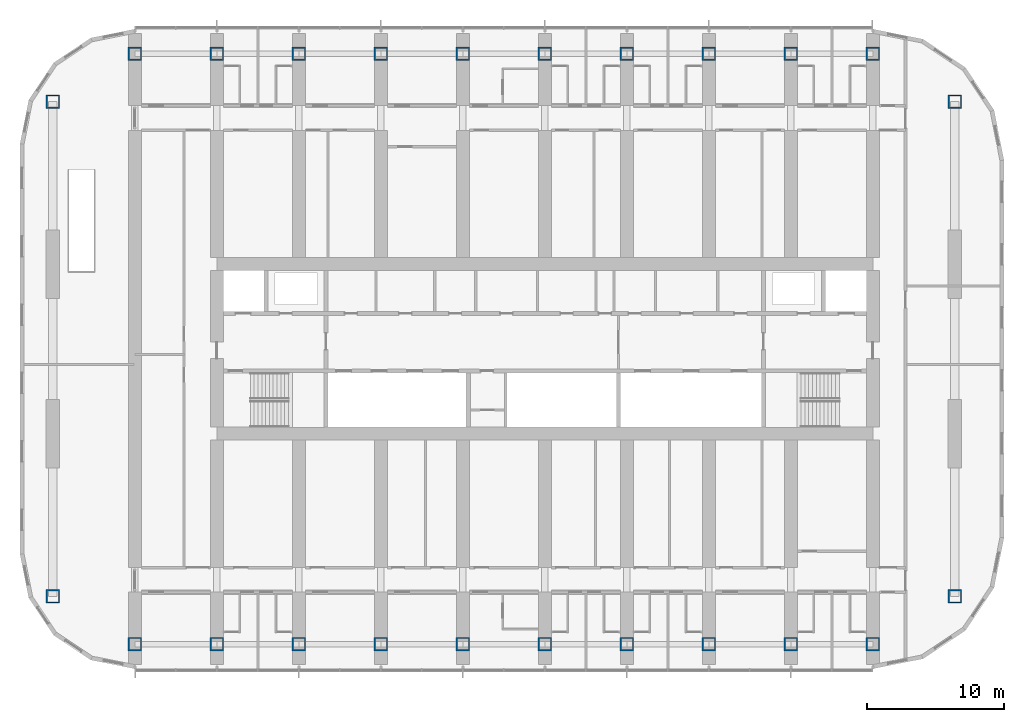
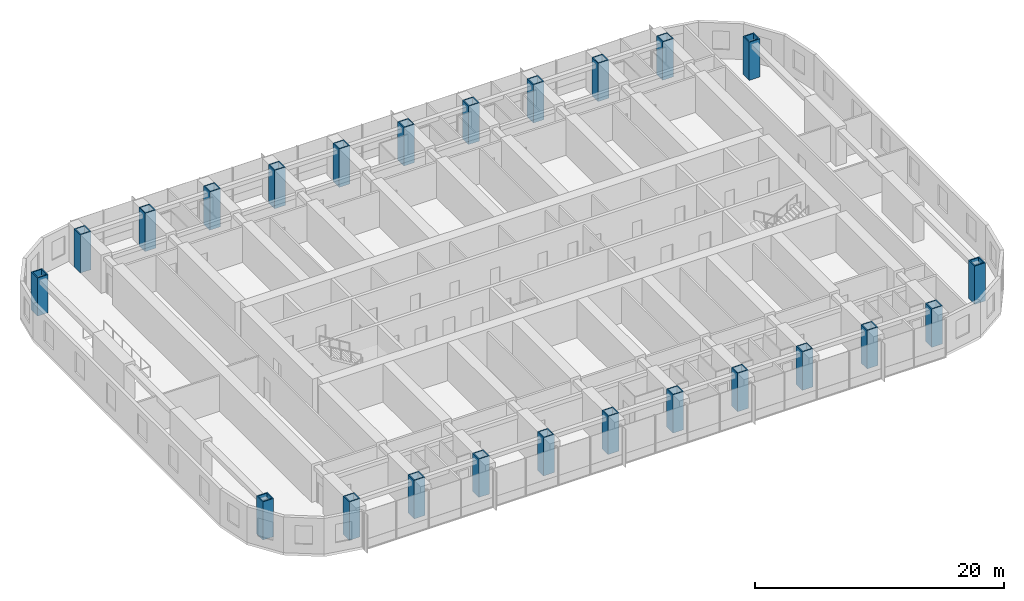
# One storey, part 1 of 21: 24 columns.
"""IFC4 building model written with IfcOpenShell, lengths in metres."""

from ifc_helpers import new_model, si_unit, direction, frame, origin, origin_2d, place, context, subcontext, project, spatial, hollow_rectangle, extrude, material, material_profile, profile_set, type_object, element, save


model = new_model("IFC4")

# Units and contexts
model_context = context("Model", 3, precision=1e-05, world=origin(), true_north=direction((0.0, 1.0)))
body_context = subcontext(model_context, "Body", "Model", "MODEL_VIEW")
ifc_project = project(units=[si_unit("LENGTHUNIT", "METRE"), si_unit("AREAUNIT", "SQUARE_METRE"), si_unit("VOLUMEUNIT", "CUBIC_METRE"), si_unit("PLANEANGLEUNIT", "RADIAN"), si_unit("MASSUNIT", "GRAM", prefix="KILO")], contexts=[model_context])

# Site, building, storey
site_placement = place(None, origin())
site = spatial("IfcSite", under=ifc_project, at=site_placement, CompositionType="ELEMENT")
building_placement = place(site_placement, origin())
building = spatial("IfcBuilding", under=site, at=building_placement, Name="Orbita Commons", CompositionType="ELEMENT")
storey_placement = place(building_placement, frame((0.0, 0.0, 103.14990234375)))
storey = spatial("IfcBuildingStorey", under=building, at=storey_placement, Name="L25", CompositionType="ELEMENT", Elevation=103.14990234375)

# Columns
ifc_material = material(Name="Steel ASTM A572 Gr 50 welded plate", Category="steel")
ifc_material_profile = material_profile(ifc_material, hollow_rectangle(XDim=1.0, YDim=1.0, WallThickness=0.10009765625, at=origin_2d()), Name="BOX 1000x1000x100")
ifc_profile_set = profile_set([ifc_material_profile], Name="Steel ASTM A572 Gr 50 welded plate")
column_type = type_object("IfcColumnType", Name="Steel column BOX 1000x1000x100", PredefinedType="COLUMN", material=ifc_profile_set)
for number, where, z_axis, x_axis, name in (
    (1, (12.0, 10.39990234375, 0.0), (0.0, 0.0, 1.0), (1.0, 0.0, 0.0), "Column 3/B L25"),
    (2, (12.0, 53.60009765625, 0.0), (0.0, 0.0, 1.0), (1.0, 0.0, 0.0), "Column 3/E L25"),
    (3, (18.0, 10.39990234375, 0.0), (0.0, 0.0, 1.0), (1.0, 0.0, 0.0), "Column 4/B L25"),
    (4, (18.0, 53.60009765625, 0.0), (0.0, 0.0, 1.0), (1.0, 0.0, 0.0), "Column 4/E L25"),
    (5, (24.0, 10.39990234375, 0.0), (0.0, 0.0, 1.0), (1.0, 0.0, 0.0), "Column 5/B L25"),
    (6, (24.0, 53.60009765625, 0.0), (0.0, 0.0, 1.0), (1.0, 0.0, 0.0), "Column 5/E L25"),
    (7, (30.0, 10.39990234375, 0.0), (0.0, 0.0, 1.0), (1.0, 0.0, 0.0), "Column 6/B L25"),
    (8, (30.0, 53.60009765625, 0.0), (0.0, 0.0, 1.0), (1.0, 0.0, 0.0), "Column 6/E L25"),
    (9, (36.0, 10.39990234375, 0.0), (0.0, 0.0, 1.0), (1.0, 0.0, 0.0), "Column 7/B L25"),
    (10, (36.0, 53.60009765625, 0.0), (0.0, 0.0, 1.0), (1.0, 0.0, 0.0), "Column 7/E L25"),
    (11, (42.0, 10.39990234375, 0.0), (0.0, 0.0, 1.0), (1.0, 0.0, 0.0), "Column 8/B L25"),
    (12, (42.0, 53.60009765625, 0.0), (0.0, 0.0, 1.0), (1.0, 0.0, 0.0), "Column 8/E L25"),
    (13, (48.0, 10.39990234375, 0.0), (0.0, 0.0, 1.0), (1.0, 0.0, 0.0), "Column 9/B L25"),
    (14, (48.0, 53.60009765625, 0.0), (0.0, 0.0, 1.0), (1.0, 0.0, 0.0), "Column 9/E L25"),
    (15, (54.0, 10.39990234375, 0.0), (0.0, 0.0, 1.0), (1.0, 0.0, 0.0), "Column 10/B L25"),
    (16, (54.0, 53.60009765625, 0.0), (0.0, 0.0, 1.0), (1.0, 0.0, 0.0), "Column 10/E L25"),
    (17, (60.0, 10.39990234375, 0.0), (0.0, 0.0, 1.0), (1.0, 0.0, 0.0), "Column 11/B L25"),
    (18, (60.0, 53.60009765625, 0.0), (0.0, 0.0, 1.0), (1.0, 0.0, 0.0), "Column 11/E L25"),
    (19, (66.0, 10.39990234375, 0.0), (0.0, 0.0, 1.0), (1.0, 0.0, 0.0), "Column 12/B L25"),
    (20, (66.0, 53.60009765625, 0.0), (0.0, 0.0, 1.0), (1.0, 0.0, 0.0), "Column 12/E L25"),
    (21, (6.0, 13.89990234375, 0.0), (0.0, 0.0, 1.0), (1.0, 0.0, 0.0), "Column 2/13.9 L25"),
    (22, (6.0, 50.10009765625, 0.0), (0.0, 0.0, 1.0), (1.0, 0.0, 0.0), "Column 2/50.1 L25"),
    (23, (72.0, 13.89990234375, 0.0), (0.0, 0.0, 1.0), (1.0, 0.0, 0.0), "Column 13/13.9 L25"),
    (24, (72.0, 50.10009765625, 0.0), (0.0, 0.0, 1.0), (1.0, 0.0, 0.0), "Column 13/50.1 L25"),
):
    element("IfcColumn", number, at=place(storey_placement, frame(where, z_axis=z_axis, x_axis=x_axis)), inside=storey, type_object=column_type, Name=name, PredefinedType="COLUMN", context=body_context, shape_type="SweptSolid", body=[
        extrude(hollow_rectangle(XDim=1.0, YDim=1.0, WallThickness=0.10009765625, at=origin_2d()), origin(), (0.0, 0.0, 1.0), 3.75),
    ])

save(model, "model.ifc")
